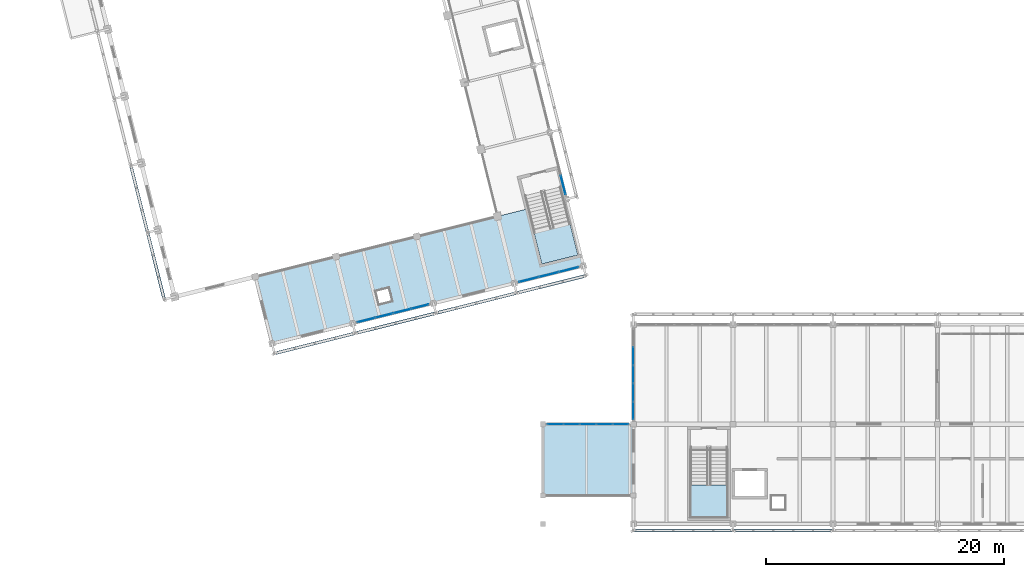
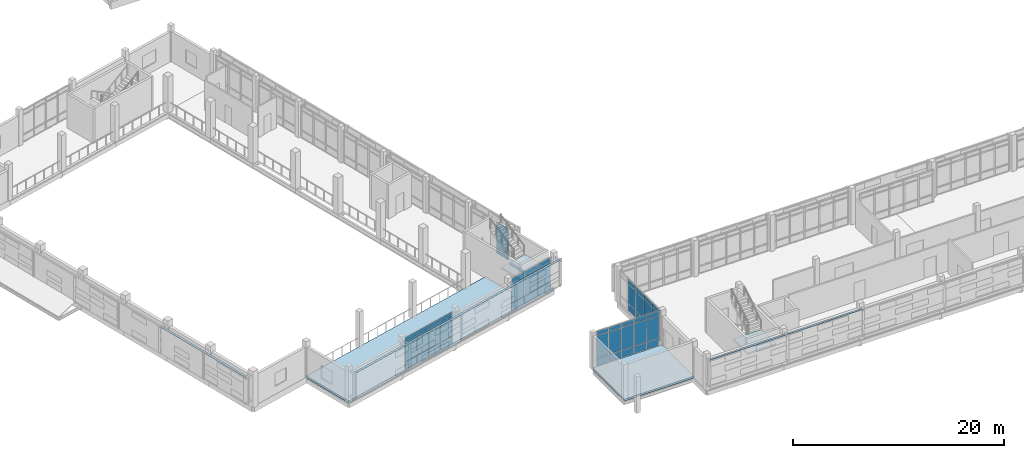
# One storey, part 93 of 137: 59 plates, 4 slabs, 7 elements without a shape of their own.
"""IFC4 building model written with IfcOpenShell, lengths in metres."""

import ifcopenshell
import ifcopenshell.guid

model = None  # the IFC model being written
_history = None  # IfcOwnerHistory: only IFC2X3 demands one
_inside = {}  # id of a spatial element -> (the spatial element, [elements in it])
_under = {}  # id of a project, library or spatial element -> (it, [spatial elements below it])
_declared = {}  # id of a project -> (the project, [libraries it declares])
_typed = {}  # id of a type object -> (the type object, [elements of that type])
_made_of = {}  # id of a material, layer set ... -> (it, [elements and type objects made of it])


def new_model(schema):
    """Start an empty IFC model of exactly this schema.

    Asked for "IFC4X3", IfcOpenShell would pick the latest addendum, in which some entities
    have other attributes; the version numbers below select the first issue.
    IFC2X3 requires an IfcOwnerHistory on every rooted entity: one is made here for all.
    """
    global model, _history
    if schema == "IFC4X3":
        model = ifcopenshell.file(schema_version=(4, 3, 0, 0))
    else:
        model = ifcopenshell.file(schema=schema)
    _inside.clear()
    _under.clear()
    _declared.clear()
    _typed.clear()
    _made_of.clear()
    _history = None
    if model.schema == "IFC2X3":
        org = make("IfcOrganization", Name="unknown")
        user = make(
            "IfcPersonAndOrganization",
            ThePerson=make("IfcPerson", FamilyName="unknown"),
            TheOrganization=org,
        )
        app = make(
            "IfcApplication",
            ApplicationDeveloper=org,
            Version="unknown",
            ApplicationFullName="unknown",
            ApplicationIdentifier="unknown",
        )
        _history = make(
            "IfcOwnerHistory",
            OwningUser=user,
            OwningApplication=app,
            ChangeAction="ADDED",
            CreationDate=0,
        )
    return model


def make(cls, **values):
    """One entity of the class cls with the attributes given. An attribute that is None is left unset."""
    return model.create_entity(
        cls, **{name: value for name, value in values.items() if value is not None}
    )


def rooted(cls, **values):
    """An entity with a GlobalId (a new one), such as an element, a storey or a relation."""
    return make(cls, GlobalId=ifcopenshell.guid.new(), OwnerHistory=_history, **values)


def si_unit(unit_type, name, prefix=None):
    """IfcSIUnit, for example si_unit("LENGTHUNIT", "METRE", prefix="MILLI")."""
    return make("IfcSIUnit", UnitType=unit_type, Prefix=prefix, Name=name)


def assignment(units):
    """IfcUnitAssignment: the units of a project."""
    return None if units is None else make("IfcUnitAssignment", Units=units)


def point(xyz):
    """IfcCartesianPoint."""
    return None if xyz is None else make("IfcCartesianPoint", Coordinates=xyz)


def direction(xyz):
    """IfcDirection."""
    return None if xyz is None else make("IfcDirection", DirectionRatios=xyz)


def frame(location, z_axis=None, x_axis=None):
    """IfcAxis2Placement3D, a coordinate frame: its origin and axes. An axis left out is left unset."""
    return make(
        "IfcAxis2Placement3D",
        Location=point(location),
        Axis=direction(z_axis),
        RefDirection=direction(x_axis),
    )


def frame_2d(location, x_axis=None):
    """IfcAxis2Placement2D, a coordinate frame in the plane: its origin and x axis."""
    return make(
        "IfcAxis2Placement2D", Location=point(location), RefDirection=direction(x_axis)
    )


def origin():
    """The frame at (0, 0, 0) with its axes left unset."""
    return frame((0.0, 0.0, 0.0))


def origin_2d():
    """The frame at (0, 0) in the plane with its x axis left unset."""
    return frame_2d((0.0, 0.0))


def place(relative_to, where):
    """IfcLocalPlacement: puts the frame where relative to a parent placement (None: the world)."""
    return make(
        "IfcLocalPlacement", PlacementRelTo=relative_to, RelativePlacement=where
    )


def context(
    kind, dimensions, precision=None, world=None, true_north=None, identifier=None
):
    """IfcGeometricRepresentationContext, for example the 3D "Model" context."""
    return make(
        "IfcGeometricRepresentationContext",
        ContextIdentifier=identifier,
        ContextType=kind,
        CoordinateSpaceDimension=dimensions,
        Precision=precision,
        WorldCoordinateSystem=world,
        TrueNorth=true_north,
    )


def subcontext(parent, identifier, kind, view, scale=None):
    """IfcGeometricRepresentationSubContext, for example "Body" below "Model"."""
    return make(
        "IfcGeometricRepresentationSubContext",
        ContextIdentifier=identifier,
        ContextType=kind,
        ParentContext=parent,
        TargetScale=scale,
        TargetView=view,
    )


def project(units=None, contexts=None):
    """IfcProject with its units and contexts."""
    return rooted(
        "IfcProject",
        Name="project",
        RepresentationContexts=contexts,
        UnitsInContext=assignment(units),
    )


def spatial(cls, under=None, at=None, **own):
    """A site, building, storey or space (cls), placed at a placement, below another one or the project."""
    s = rooted(cls, ObjectPlacement=at, **own)
    if under is not None:
        _under.setdefault(under.id(), (under, []))[1].append(s)
    return s


def polyline(points):
    """IfcPolyline through the points."""
    return make("IfcPolyline", Points=[point(p) for p in points])


def profile(cls, at=None, kind="AREA", **sizes):
    """A parametric profile (cls). Its sizes go by their IFC names, for example OverallWidth=200.0."""
    return make(cls, ProfileType=kind, Position=at, **sizes)


def rectangle(**sizes):
    """IfcRectangleProfileDef."""
    return profile("IfcRectangleProfileDef", **sizes)


def outline(outer, holes=None, kind="AREA"):
    """IfcArbitraryClosedProfileDef: a profile drawn as a closed curve; with holes, ...WithVoids."""
    if holes is None:
        return make("IfcArbitraryClosedProfileDef", ProfileType=kind, OuterCurve=outer)
    return make(
        "IfcArbitraryProfileDefWithVoids",
        ProfileType=kind,
        OuterCurve=outer,
        InnerCurves=holes,
    )


def extrude(swept, where, along, depth):
    """IfcExtrudedAreaSolid: the profile swept, set in the frame where, extruded along a direction by depth."""
    return make(
        "IfcExtrudedAreaSolid",
        SweptArea=swept,
        Position=where,
        ExtrudedDirection=direction(along),
        Depth=depth,
    )


def shape(context_of_items, identifier, shape_type, items):
    """IfcShapeRepresentation: the items that make up one representation, for example the "Body"."""
    return make(
        "IfcShapeRepresentation",
        ContextOfItems=context_of_items,
        RepresentationIdentifier=identifier,
        RepresentationType=shape_type,
        Items=items,
    )


def material(Name=None, Category=None):
    """IfcMaterial."""
    return make("IfcMaterial", Name=Name, Category=Category)


def layer(
    of_material, thickness, ventilated=None, Name=None, Category=None, Priority=None
):
    """IfcMaterialLayer: one layer of a wall or slab, of a material (None: an air gap)."""
    return make(
        "IfcMaterialLayer",
        Material=of_material,
        LayerThickness=thickness,
        IsVentilated=ventilated,
        Name=Name,
        Category=Category,
        Priority=Priority,
    )


def layer_set(layers, Name=None):
    """IfcMaterialLayerSet."""
    return make("IfcMaterialLayerSet", MaterialLayers=layers, LayerSetName=Name)


def made_of(thing, what):
    """Note that an element or type object is made of a material, layer set ...; save() writes the relation."""
    if what is not None:
        _made_of.setdefault(what.id(), (what, []))[1].append(thing)
    return thing


def type_object(cls, material=None, **own):
    """A type object (cls), such as IfcWallType, which elements share."""
    return made_of(rooted(cls, **own), material)


def element(
    cls,
    number,
    at=None,
    inside=None,
    cuts=None,
    type_object=None,
    material=None,
    context=None,
    identifier="Body",
    shape_type=None,
    held_by="IfcProductDefinitionShape",
    body=None,
    shapes=None,
    **own,
):
    """One element of the class cls, such as IfcWall. Its Tag is "e" and its number.

    at: its placement. inside: the storey or other place that contains it. cuts: it is an
    opening in that element (IfcRelVoidsElement). A single representation is given by context,
    identifier, shape_type and body (its items); several are given by shapes. held_by: the class
    of the entity that holds the representations. save() writes the other relations.
    """
    e = rooted(cls, Tag="e%d" % number, ObjectPlacement=at, **own)
    if body is not None:
        shapes = [shape(context, identifier, shape_type, body)]
    if shapes is not None:
        e.Representation = make(held_by, Representations=shapes)
    if inside is not None:
        _inside.setdefault(inside.id(), (inside, []))[1].append(e)
    if cuts is not None:
        rooted(
            "IfcRelVoidsElement", RelatingBuildingElement=cuts, RelatedOpeningElement=e
        )
    if type_object is not None:
        _typed.setdefault(type_object.id(), (type_object, []))[1].append(e)
    return made_of(e, material)


def aggregate(whole, parts):
    """IfcRelAggregates: a whole, such as a stair, and the parts it consists of."""
    return rooted("IfcRelAggregates", RelatingObject=whole, RelatedObjects=parts)


def save(model, path):
    """Write the relations noted so far, then the file.

    IfcRelAggregates (storeys below a building ...), IfcRelContainedInSpatialStructure (elements
    in a storey), IfcRelDefinesByType, IfcRelAssociatesMaterial and IfcRelDeclares: one each for
    every whole, place, type object, material and project.
    """
    for whole, parts in _under.values():
        aggregate(whole, parts)
    for where, things in _inside.values():
        rooted(
            "IfcRelContainedInSpatialStructure",
            RelatedElements=things,
            RelatingStructure=where,
        )
    for kind, things in _typed.values():
        rooted("IfcRelDefinesByType", RelatedObjects=things, RelatingType=kind)
    for what, things in _made_of.values():
        rooted("IfcRelAssociatesMaterial", RelatedObjects=things, RelatingMaterial=what)
    for by, libraries in _declared.values():
        rooted("IfcRelDeclares", RelatingContext=by, RelatedDefinitions=libraries)
    model.write(path)


model = new_model("IFC4")

# Units and contexts
model_context = context("Model", 3, precision=1e-05, world=origin(), true_north=direction((0.0, 1.0)))
body_context = subcontext(model_context, "Body", "Model", "MODEL_VIEW")
ifc_project = project(units=[si_unit("LENGTHUNIT", "METRE"), si_unit("AREAUNIT", "SQUARE_METRE"), si_unit("VOLUMEUNIT", "CUBIC_METRE"), si_unit("PLANEANGLEUNIT", "RADIAN"), si_unit("MASSUNIT", "GRAM", prefix="KILO")], contexts=[model_context])

# Site, building, storey
site_placement = place(None, origin())
site = spatial("IfcSite", under=ifc_project, at=site_placement, CompositionType="ELEMENT")
building_placement = place(site_placement, origin())
building = spatial("IfcBuilding", under=site, at=building_placement, Name="Cinderway Yard Community Centre", CompositionType="ELEMENT")
storey_placement = place(building_placement, frame((0.0, 0.0, 4.800048828125)))
storey = spatial("IfcBuildingStorey", under=building, at=storey_placement, Name="L01", CompositionType="ELEMENT", Elevation=4.800048828125)

# Curtain wall, plates
ifc_material_1 = material(Name="Aluminium 6063-T6", Category="aluminium")
curtain_wall_type_1 = type_object("IfcCurtainWallType", Name="ENV-CW-TYPE-28", PredefinedType="USERDEFINED", material=ifc_material_1)
curtain_wall_1_placement = place(storey_placement, origin())
curtain_wall_1 = element("IfcCurtainWall", 1, at=curtain_wall_1_placement, inside=storey, type_object=curtain_wall_type_1, Name="V3 West Curtain Wall ENV-CW-L01-ST-0100", ObjectType="GLAZED CURTAIN WALL", PredefinedType="USERDEFINED")
ifc_material_2 = material(Name="Laminated Low-E Glass", Category="glass")
ifc_layer_1 = layer(ifc_material_2, 0.028076171875, Name="Laminated Low-E Glass")
ifc_layer_set_1 = layer_set([ifc_layer_1], Name="Laminated Low-E Glass")
plate_type_1 = type_object("IfcPlateType", Name="ENV-CW-PAN-IGU28", PredefinedType="CURTAIN_PANEL", material=ifc_layer_set_1)
plate_1_placement = place(storey_placement, frame((58.39990234375, 15.54296875, 0.059814453125), z_axis=(0.0, 0.0, 1.0), x_axis=(0.0, 1.0, 0.0)))
plate_1 = element("IfcPlate", 2, at=plate_1_placement, type_object=plate_type_1, Name="CW-28 panel 1.1", PredefinedType="CURTAIN_PANEL", context=body_context, shape_type="SweptSolid", body=[
    extrude(rectangle(XDim=1.446044921875, YDim=0.028076171875, at=origin_2d()), origin(), (0.0, 0.0, 1.0), 0.81005859375),
])
plate_2_placement = place(storey_placement, frame((58.39990234375, 15.54296875, 0.93017578125), z_axis=(0.0, 0.0, 1.0), x_axis=(0.0, 1.0, 0.0)))
plate_2 = element("IfcPlate", 3, at=plate_2_placement, type_object=plate_type_1, Name="CW-28 panel 1.2", PredefinedType="CURTAIN_PANEL", context=body_context, shape_type="SweptSolid", body=[
    extrude(rectangle(XDim=1.446044921875, YDim=0.028076171875, at=origin_2d()), origin(), (0.0, 0.0, 1.0), 2.239990234375),
])
plate_3_placement = place(storey_placement, frame((58.39990234375, 15.54296875, 3.22998046875), z_axis=(0.0, 0.0, 1.0), x_axis=(0.0, 1.0, 0.0)))
plate_3 = element("IfcPlate", 4, at=plate_3_placement, type_object=plate_type_1, Name="CW-28 panel 1.3", PredefinedType="CURTAIN_PANEL", context=body_context, shape_type="SweptSolid", body=[
    extrude(rectangle(XDim=1.446044921875, YDim=0.028076171875, at=origin_2d()), origin(), (0.0, 0.0, 1.0), 0.4599609375),
])
plate_4_placement = place(storey_placement, frame((58.39990234375, 17.06396484375, 0.059814453125), z_axis=(0.0, 0.0, 1.0), x_axis=(0.0, 1.0, 0.0)))
plate_4 = element("IfcPlate", 5, at=plate_4_placement, type_object=plate_type_1, Name="CW-28 panel 2.1", PredefinedType="CURTAIN_PANEL", context=body_context, shape_type="SweptSolid", body=[
    extrude(rectangle(XDim=1.47607421875, YDim=0.028076171875, at=origin_2d()), origin(), (0.0, 0.0, 1.0), 0.81005859375),
])
plate_5_placement = place(storey_placement, frame((58.39990234375, 17.06396484375, 0.93017578125), z_axis=(0.0, 0.0, 1.0), x_axis=(0.0, 1.0, 0.0)))
plate_5 = element("IfcPlate", 6, at=plate_5_placement, type_object=plate_type_1, Name="CW-28 panel 2.2", PredefinedType="CURTAIN_PANEL", context=body_context, shape_type="SweptSolid", body=[
    extrude(rectangle(XDim=1.47607421875, YDim=0.028076171875, at=origin_2d()), origin(), (0.0, 0.0, 1.0), 2.239990234375),
])
plate_6_placement = place(storey_placement, frame((58.39990234375, 17.06396484375, 3.22998046875), z_axis=(0.0, 0.0, 1.0), x_axis=(0.0, 1.0, 0.0)))
plate_6 = element("IfcPlate", 7, at=plate_6_placement, type_object=plate_type_1, Name="CW-28 panel 2.3", PredefinedType="CURTAIN_PANEL", context=body_context, shape_type="SweptSolid", body=[
    extrude(rectangle(XDim=1.47607421875, YDim=0.028076171875, at=origin_2d()), origin(), (0.0, 0.0, 1.0), 0.4599609375),
])
plate_7_placement = place(storey_placement, frame((58.39990234375, 18.60009765625, 0.059814453125), z_axis=(0.0, 0.0, 1.0), x_axis=(0.0, 1.0, 0.0)))
plate_7 = element("IfcPlate", 8, at=plate_7_placement, type_object=plate_type_1, Name="CW-28 panel 3.1", PredefinedType="CURTAIN_PANEL", context=body_context, shape_type="SweptSolid", body=[
    extrude(rectangle(XDim=1.47607421875, YDim=0.028076171875, at=origin_2d()), origin(), (0.0, 0.0, 1.0), 0.81005859375),
])
plate_8_placement = place(storey_placement, frame((58.39990234375, 18.60009765625, 0.93017578125), z_axis=(0.0, 0.0, 1.0), x_axis=(0.0, 1.0, 0.0)))
plate_8 = element("IfcPlate", 9, at=plate_8_placement, type_object=plate_type_1, Name="CW-28 panel 3.2", PredefinedType="CURTAIN_PANEL", context=body_context, shape_type="SweptSolid", body=[
    extrude(rectangle(XDim=1.47607421875, YDim=0.028076171875, at=origin_2d()), origin(), (0.0, 0.0, 1.0), 2.239990234375),
])
plate_9_placement = place(storey_placement, frame((58.39990234375, 18.60009765625, 3.22998046875), z_axis=(0.0, 0.0, 1.0), x_axis=(0.0, 1.0, 0.0)))
plate_9 = element("IfcPlate", 10, at=plate_9_placement, type_object=plate_type_1, Name="CW-28 panel 3.3", PredefinedType="CURTAIN_PANEL", context=body_context, shape_type="SweptSolid", body=[
    extrude(rectangle(XDim=1.47607421875, YDim=0.028076171875, at=origin_2d()), origin(), (0.0, 0.0, 1.0), 0.4599609375),
])
plate_10_placement = place(storey_placement, frame((58.39990234375, 20.135986328125, 0.059814453125), z_axis=(0.0, 0.0, 1.0), x_axis=(0.0, 1.0, 0.0)))
plate_10 = element("IfcPlate", 11, at=plate_10_placement, type_object=plate_type_1, Name="CW-28 panel 4.1", PredefinedType="CURTAIN_PANEL", context=body_context, shape_type="SweptSolid", body=[
    extrude(rectangle(XDim=1.47607421875, YDim=0.028076171875, at=origin_2d()), origin(), (0.0, 0.0, 1.0), 0.81005859375),
])
plate_11_placement = place(storey_placement, frame((58.39990234375, 20.135986328125, 0.93017578125), z_axis=(0.0, 0.0, 1.0), x_axis=(0.0, 1.0, 0.0)))
plate_11 = element("IfcPlate", 12, at=plate_11_placement, type_object=plate_type_1, Name="CW-28 panel 4.2", PredefinedType="CURTAIN_PANEL", context=body_context, shape_type="SweptSolid", body=[
    extrude(rectangle(XDim=1.47607421875, YDim=0.028076171875, at=origin_2d()), origin(), (0.0, 0.0, 1.0), 2.239990234375),
])
plate_12_placement = place(storey_placement, frame((58.39990234375, 20.135986328125, 3.22998046875), z_axis=(0.0, 0.0, 1.0), x_axis=(0.0, 1.0, 0.0)))
plate_12 = element("IfcPlate", 13, at=plate_12_placement, type_object=plate_type_1, Name="CW-28 panel 4.3", PredefinedType="CURTAIN_PANEL", context=body_context, shape_type="SweptSolid", body=[
    extrude(rectangle(XDim=1.47607421875, YDim=0.028076171875, at=origin_2d()), origin(), (0.0, 0.0, 1.0), 0.4599609375),
])
aggregate(curtain_wall_1, [plate_1, plate_2, plate_3, plate_4, plate_5, plate_6, plate_7, plate_8, plate_9, plate_10, plate_11, plate_12])

curtain_wall_type_2 = type_object("IfcCurtainWallType", Name="ENV-CW-TYPE-36", PredefinedType="USERDEFINED", material=ifc_material_1)
curtain_wall_2_placement = place(storey_placement, origin())
curtain_wall_2 = element("IfcCurtainWall", 14, at=curtain_wall_2_placement, inside=storey, type_object=curtain_wall_type_2, Name="West Arcade Courtyard Curtain Wall ENV-CW-L01-ST-0200", ObjectType="GLAZED CURTAIN WALL", PredefinedType="USERDEFINED")
plate_13_placement = place(storey_placement, frame((51.85498046875, 14.39990234375, 0.059814453125), z_axis=(0.0, 0.0, 1.0), x_axis=(1.0, 0.0, 0.0)))
plate_13 = element("IfcPlate", 15, at=plate_13_placement, type_object=plate_type_1, Name="CW-36 panel 1.1", PredefinedType="CURTAIN_PANEL", context=body_context, shape_type="SweptSolid", body=[
    extrude(rectangle(XDim=1.2900390625, YDim=0.028076171875, at=origin_2d()), origin(), (0.0, 0.0, 1.0), 0.81005859375),
])
plate_14_placement = place(storey_placement, frame((51.85498046875, 14.39990234375, 0.9296875), z_axis=(0.0, 0.0, 1.0), x_axis=(1.0, 0.0, 0.0)))
plate_14 = element("IfcPlate", 16, at=plate_14_placement, type_object=plate_type_1, Name="CW-36 panel 1.2", PredefinedType="CURTAIN_PANEL", context=body_context, shape_type="SweptSolid", body=[
    extrude(rectangle(XDim=1.2900390625, YDim=0.028076171875, at=origin_2d()), origin(), (0.0, 0.0, 1.0), 2.590087890625),
])
plate_15_placement = place(storey_placement, frame((51.85498046875, 14.39990234375, 3.580078125), z_axis=(0.0, 0.0, 1.0), x_axis=(1.0, 0.0, 0.0)))
plate_15 = element("IfcPlate", 17, at=plate_15_placement, type_object=plate_type_1, Name="CW-36 panel 1.3", PredefinedType="CURTAIN_PANEL", context=body_context, shape_type="SweptSolid", body=[
    extrude(rectangle(XDim=1.2900390625, YDim=0.028076171875, at=origin_2d()), origin(), (0.0, 0.0, 1.0), 0.4599609375),
])
plate_16_placement = place(storey_placement, frame((53.219970703125, 14.39990234375, 0.059814453125), z_axis=(0.0, 0.0, 1.0), x_axis=(1.0, 0.0, 0.0)))
plate_16 = element("IfcPlate", 18, at=plate_16_placement, type_object=plate_type_1, Name="CW-36 panel 2.1", PredefinedType="CURTAIN_PANEL", context=body_context, shape_type="SweptSolid", body=[
    extrude(rectangle(XDim=1.320068359375, YDim=0.028076171875, at=origin_2d()), origin(), (0.0, 0.0, 1.0), 0.81005859375),
])
plate_17_placement = place(storey_placement, frame((53.219970703125, 14.39990234375, 0.9296875), z_axis=(0.0, 0.0, 1.0), x_axis=(1.0, 0.0, 0.0)))
plate_17 = element("IfcPlate", 19, at=plate_17_placement, type_object=plate_type_1, Name="CW-36 panel 2.2", PredefinedType="CURTAIN_PANEL", context=body_context, shape_type="SweptSolid", body=[
    extrude(rectangle(XDim=1.320068359375, YDim=0.028076171875, at=origin_2d()), origin(), (0.0, 0.0, 1.0), 2.590087890625),
])
plate_18_placement = place(storey_placement, frame((53.219970703125, 14.39990234375, 3.580078125), z_axis=(0.0, 0.0, 1.0), x_axis=(1.0, 0.0, 0.0)))
plate_18 = element("IfcPlate", 20, at=plate_18_placement, type_object=plate_type_1, Name="CW-36 panel 2.3", PredefinedType="CURTAIN_PANEL", context=body_context, shape_type="SweptSolid", body=[
    extrude(rectangle(XDim=1.320068359375, YDim=0.028076171875, at=origin_2d()), origin(), (0.0, 0.0, 1.0), 0.4599609375),
])
plate_19_placement = place(storey_placement, frame((54.60009765625, 14.39990234375, 0.059814453125), z_axis=(0.0, 0.0, 1.0), x_axis=(1.0, 0.0, 0.0)))
plate_19 = element("IfcPlate", 21, at=plate_19_placement, type_object=plate_type_1, Name="CW-36 panel 3.1", PredefinedType="CURTAIN_PANEL", context=body_context, shape_type="SweptSolid", body=[
    extrude(rectangle(XDim=1.320068359375, YDim=0.028076171875, at=origin_2d()), origin(), (0.0, 0.0, 1.0), 0.81005859375),
])
plate_20_placement = place(storey_placement, frame((54.60009765625, 14.39990234375, 0.9296875), z_axis=(0.0, 0.0, 1.0), x_axis=(1.0, 0.0, 0.0)))
plate_20 = element("IfcPlate", 22, at=plate_20_placement, type_object=plate_type_1, Name="CW-36 panel 3.2", PredefinedType="CURTAIN_PANEL", context=body_context, shape_type="SweptSolid", body=[
    extrude(rectangle(XDim=1.320068359375, YDim=0.028076171875, at=origin_2d()), origin(), (0.0, 0.0, 1.0), 2.590087890625),
])
plate_21_placement = place(storey_placement, frame((54.60009765625, 14.39990234375, 3.580078125), z_axis=(0.0, 0.0, 1.0), x_axis=(1.0, 0.0, 0.0)))
plate_21 = element("IfcPlate", 23, at=plate_21_placement, type_object=plate_type_1, Name="CW-36 panel 3.3", PredefinedType="CURTAIN_PANEL", context=body_context, shape_type="SweptSolid", body=[
    extrude(rectangle(XDim=1.320068359375, YDim=0.028076171875, at=origin_2d()), origin(), (0.0, 0.0, 1.0), 0.4599609375),
])
plate_22_placement = place(storey_placement, frame((55.97998046875, 14.39990234375, 0.059814453125), z_axis=(0.0, 0.0, 1.0), x_axis=(1.0, 0.0, 0.0)))
plate_22 = element("IfcPlate", 24, at=plate_22_placement, type_object=plate_type_1, Name="CW-36 panel 4.1", PredefinedType="CURTAIN_PANEL", context=body_context, shape_type="SweptSolid", body=[
    extrude(rectangle(XDim=1.320068359375, YDim=0.028076171875, at=origin_2d()), origin(), (0.0, 0.0, 1.0), 0.81005859375),
])
plate_23_placement = place(storey_placement, frame((55.97998046875, 14.39990234375, 0.9296875), z_axis=(0.0, 0.0, 1.0), x_axis=(1.0, 0.0, 0.0)))
plate_23 = element("IfcPlate", 25, at=plate_23_placement, type_object=plate_type_1, Name="CW-36 panel 4.2", PredefinedType="CURTAIN_PANEL", context=body_context, shape_type="SweptSolid", body=[
    extrude(rectangle(XDim=1.320068359375, YDim=0.028076171875, at=origin_2d()), origin(), (0.0, 0.0, 1.0), 2.590087890625),
])
plate_24_placement = place(storey_placement, frame((55.97998046875, 14.39990234375, 3.580078125), z_axis=(0.0, 0.0, 1.0), x_axis=(1.0, 0.0, 0.0)))
plate_24 = element("IfcPlate", 26, at=plate_24_placement, type_object=plate_type_1, Name="CW-36 panel 4.3", PredefinedType="CURTAIN_PANEL", context=body_context, shape_type="SweptSolid", body=[
    extrude(rectangle(XDim=1.320068359375, YDim=0.028076171875, at=origin_2d()), origin(), (0.0, 0.0, 1.0), 0.4599609375),
])
plate_25_placement = place(storey_placement, frame((57.344970703125, 14.39990234375, 0.059814453125), z_axis=(0.0, 0.0, 1.0), x_axis=(1.0, 0.0, 0.0)))
plate_25 = element("IfcPlate", 27, at=plate_25_placement, type_object=plate_type_1, Name="CW-36 panel 5.1", PredefinedType="CURTAIN_PANEL", context=body_context, shape_type="SweptSolid", body=[
    extrude(rectangle(XDim=1.2900390625, YDim=0.028076171875, at=origin_2d()), origin(), (0.0, 0.0, 1.0), 0.81005859375),
])
plate_26_placement = place(storey_placement, frame((57.344970703125, 14.39990234375, 0.9296875), z_axis=(0.0, 0.0, 1.0), x_axis=(1.0, 0.0, 0.0)))
plate_26 = element("IfcPlate", 28, at=plate_26_placement, type_object=plate_type_1, Name="CW-36 panel 5.2", PredefinedType="CURTAIN_PANEL", context=body_context, shape_type="SweptSolid", body=[
    extrude(rectangle(XDim=1.2900390625, YDim=0.028076171875, at=origin_2d()), origin(), (0.0, 0.0, 1.0), 2.590087890625),
])
plate_27_placement = place(storey_placement, frame((57.344970703125, 14.39990234375, 3.580078125), z_axis=(0.0, 0.0, 1.0), x_axis=(1.0, 0.0, 0.0)))
plate_27 = element("IfcPlate", 29, at=plate_27_placement, type_object=plate_type_1, Name="CW-36 panel 5.3", PredefinedType="CURTAIN_PANEL", context=body_context, shape_type="SweptSolid", body=[
    extrude(rectangle(XDim=1.2900390625, YDim=0.028076171875, at=origin_2d()), origin(), (0.0, 0.0, 1.0), 0.4599609375),
])
aggregate(curtain_wall_2, [plate_13, plate_14, plate_15, plate_16, plate_17, plate_18, plate_19, plate_20, plate_21, plate_22, plate_23, plate_24, plate_25, plate_26, plate_27])

curtain_wall_type_3 = type_object("IfcCurtainWallType", Name="ENV-CW-TYPE-04", PredefinedType="USERDEFINED", material=ifc_material_1)
curtain_wall_3_placement = place(storey_placement, origin())
curtain_wall_3 = element("IfcCurtainWall", 30, at=curtain_wall_3_placement, inside=storey, type_object=curtain_wall_type_3, Name="Main Hall Courtyard Curtain Wall ENV-CW-L01-HS-0010", ObjectType="GLAZED CURTAIN WALL", PredefinedType="USERDEFINED")
ifc_layer_2 = layer(ifc_material_2, 0.031982421875, Name="Laminated Low-E Glass")
ifc_layer_set_2 = layer_set([ifc_layer_2], Name="Laminated Low-E Glass")
plate_type_2 = type_object("IfcPlateType", Name="ENV-CW-PAN-IGU32", PredefinedType="CURTAIN_PANEL", material=ifc_layer_set_2)
plate_28_placement = place(storey_placement, frame((52.50341796875, 34.527099609375, 0.059814453125), z_axis=(0.0, 0.0, 1.0), x_axis=(-0.241887234827, 0.97030436752, 0.0)))
plate_28 = element("IfcPlate", 31, at=plate_28_placement, type_object=plate_type_2, Name="CW-04 panel 1.1", PredefinedType="CURTAIN_PANEL", context=body_context, shape_type="SweptSolid", body=[
    extrude(rectangle(XDim=1.603515625, YDim=0.028076171875, at=origin_2d()), origin(), (0.0, 0.0, 1.0), 0.81005859375),
])
plate_29_placement = place(storey_placement, frame((52.50341796875, 34.527099609375, 0.93017578125), z_axis=(0.0, 0.0, 1.0), x_axis=(-0.241887234827, 0.97030436752, 0.0)))
plate_29 = element("IfcPlate", 32, at=plate_29_placement, type_object=plate_type_2, Name="CW-04 panel 1.2", PredefinedType="CURTAIN_PANEL", context=body_context, shape_type="SweptSolid", body=[
    extrude(rectangle(XDim=1.603515625, YDim=0.028076171875, at=origin_2d()), origin(), (0.0, 0.0, 1.0), 2.239990234375),
])
plate_30_placement = place(storey_placement, frame((52.50341796875, 34.527099609375, 3.22998046875), z_axis=(0.0, 0.0, 1.0), x_axis=(-0.241887234827, 0.97030436752, 0.0)))
plate_30 = element("IfcPlate", 33, at=plate_30_placement, type_object=plate_type_2, Name="CW-04 panel 1.3", PredefinedType="CURTAIN_PANEL", context=body_context, shape_type="SweptSolid", body=[
    extrude(rectangle(XDim=1.603515625, YDim=0.028076171875, at=origin_2d()), origin(), (0.0, 0.0, 1.0), 0.4599609375),
])
aggregate(curtain_wall_3, [plate_28, plate_29, plate_30])

curtain_wall_type_4 = type_object("IfcCurtainWallType", Name="ENV-CW-TYPE-05", PredefinedType="USERDEFINED", material=ifc_material_1)
curtain_wall_4_placement = place(storey_placement, origin())
curtain_wall_4 = element("IfcCurtainWall", 34, at=curtain_wall_4_placement, inside=storey, type_object=curtain_wall_type_4, Name="Sanctuary South Curtain Wall ENV-CW-L01-HS-0017", ObjectType="GLAZED CURTAIN WALL", PredefinedType="USERDEFINED")
plate_31_placement = place(storey_placement, frame((35.937255859375, 23.16015625, 0.059814453125), z_axis=(0.0, 0.0, 1.0), x_axis=(0.970311966845, 0.241856748919, 0.0)))
plate_31 = element("IfcPlate", 35, at=plate_31_placement, type_object=plate_type_2, Name="CW-05 panel 1.1", PredefinedType="CURTAIN_PANEL", context=body_context, shape_type="SweptSolid", body=[
    extrude(rectangle(XDim=1.4697265625, YDim=0.028076171875, at=origin_2d()), origin(), (0.0, 0.0, 1.0), 0.81005859375),
])
plate_32_placement = place(storey_placement, frame((35.937255859375, 23.16015625, 0.93017578125), z_axis=(0.0, 0.0, 1.0), x_axis=(0.970311966845, 0.241856748919, 0.0)))
plate_32 = element("IfcPlate", 36, at=plate_32_placement, type_object=plate_type_2, Name="CW-05 panel 1.2", PredefinedType="CURTAIN_PANEL", context=body_context, shape_type="SweptSolid", body=[
    extrude(rectangle(XDim=1.4697265625, YDim=0.028076171875, at=origin_2d()), origin(), (0.0, 0.0, 1.0), 2.239990234375),
])
plate_33_placement = place(storey_placement, frame((35.937255859375, 23.16015625, 3.22998046875), z_axis=(0.0, 0.0, 1.0), x_axis=(0.970311966845, 0.241856748919, 0.0)))
plate_33 = element("IfcPlate", 37, at=plate_33_placement, type_object=plate_type_2, Name="CW-05 panel 1.3", PredefinedType="CURTAIN_PANEL", context=body_context, shape_type="SweptSolid", body=[
    extrude(rectangle(XDim=1.4697265625, YDim=0.028076171875, at=origin_2d()), origin(), (0.0, 0.0, 1.0), 0.4599609375),
])
plate_34_placement = place(storey_placement, frame((37.436279296875, 23.533935546875, 0.059814453125), z_axis=(0.0, 0.0, 1.0), x_axis=(0.970311966845, 0.241856748919, 0.0)))
plate_34 = element("IfcPlate", 38, at=plate_34_placement, type_object=plate_type_2, Name="CW-05 panel 2.1", PredefinedType="CURTAIN_PANEL", context=body_context, shape_type="SweptSolid", body=[
    extrude(rectangle(XDim=1.499755859375, YDim=0.028076171875, at=origin_2d()), origin(), (0.0, 0.0, 1.0), 0.81005859375),
])
plate_35_placement = place(storey_placement, frame((37.436279296875, 23.533935546875, 0.93017578125), z_axis=(0.0, 0.0, 1.0), x_axis=(0.970311966845, 0.241856748919, 0.0)))
plate_35 = element("IfcPlate", 39, at=plate_35_placement, type_object=plate_type_2, Name="CW-05 panel 2.2", PredefinedType="CURTAIN_PANEL", context=body_context, shape_type="SweptSolid", body=[
    extrude(rectangle(XDim=1.499755859375, YDim=0.028076171875, at=origin_2d()), origin(), (0.0, 0.0, 1.0), 2.239990234375),
])
plate_36_placement = place(storey_placement, frame((37.436279296875, 23.533935546875, 3.22998046875), z_axis=(0.0, 0.0, 1.0), x_axis=(0.970311966845, 0.241856748919, 0.0)))
plate_36 = element("IfcPlate", 40, at=plate_36_placement, type_object=plate_type_2, Name="CW-05 panel 2.3", PredefinedType="CURTAIN_PANEL", context=body_context, shape_type="SweptSolid", body=[
    extrude(rectangle(XDim=1.499755859375, YDim=0.028076171875, at=origin_2d()), origin(), (0.0, 0.0, 1.0), 0.4599609375),
])
plate_37_placement = place(storey_placement, frame((38.94970703125, 23.9111328125, 0.059814453125), z_axis=(0.0, 0.0, 1.0), x_axis=(0.970311966845, 0.241856748919, 0.0)))
plate_37 = element("IfcPlate", 41, at=plate_37_placement, type_object=plate_type_2, Name="CW-05 panel 3.1", PredefinedType="CURTAIN_PANEL", context=body_context, shape_type="SweptSolid", body=[
    extrude(rectangle(XDim=1.499755859375, YDim=0.028076171875, at=origin_2d()), origin(), (0.0, 0.0, 1.0), 0.81005859375),
])
plate_38_placement = place(storey_placement, frame((38.94970703125, 23.9111328125, 0.93017578125), z_axis=(0.0, 0.0, 1.0), x_axis=(0.970311966845, 0.241856748919, 0.0)))
plate_38 = element("IfcPlate", 42, at=plate_38_placement, type_object=plate_type_2, Name="CW-05 panel 3.2", PredefinedType="CURTAIN_PANEL", context=body_context, shape_type="SweptSolid", body=[
    extrude(rectangle(XDim=1.499755859375, YDim=0.028076171875, at=origin_2d()), origin(), (0.0, 0.0, 1.0), 2.239990234375),
])
plate_39_placement = place(storey_placement, frame((38.94970703125, 23.9111328125, 3.22998046875), z_axis=(0.0, 0.0, 1.0), x_axis=(0.970311966845, 0.241856748919, 0.0)))
plate_39 = element("IfcPlate", 43, at=plate_39_placement, type_object=plate_type_2, Name="CW-05 panel 3.3", PredefinedType="CURTAIN_PANEL", context=body_context, shape_type="SweptSolid", body=[
    extrude(rectangle(XDim=1.499755859375, YDim=0.028076171875, at=origin_2d()), origin(), (0.0, 0.0, 1.0), 0.4599609375),
])
plate_40_placement = place(storey_placement, frame((40.44873046875, 24.28466796875, 0.059814453125), z_axis=(0.0, 0.0, 1.0), x_axis=(0.970311966845, 0.241856748919, 0.0)))
plate_40 = element("IfcPlate", 44, at=plate_40_placement, type_object=plate_type_2, Name="CW-05 panel 4.1", PredefinedType="CURTAIN_PANEL", context=body_context, shape_type="SweptSolid", body=[
    extrude(rectangle(XDim=1.4697265625, YDim=0.028076171875, at=origin_2d()), origin(), (0.0, 0.0, 1.0), 0.81005859375),
])
plate_41_placement = place(storey_placement, frame((40.44873046875, 24.28466796875, 0.93017578125), z_axis=(0.0, 0.0, 1.0), x_axis=(0.970311966845, 0.241856748919, 0.0)))
plate_41 = element("IfcPlate", 45, at=plate_41_placement, type_object=plate_type_2, Name="CW-05 panel 4.2", PredefinedType="CURTAIN_PANEL", context=body_context, shape_type="SweptSolid", body=[
    extrude(rectangle(XDim=1.4697265625, YDim=0.028076171875, at=origin_2d()), origin(), (0.0, 0.0, 1.0), 2.239990234375),
])
plate_42_placement = place(storey_placement, frame((40.44873046875, 24.28466796875, 3.22998046875), z_axis=(0.0, 0.0, 1.0), x_axis=(0.970311966845, 0.241856748919, 0.0)))
plate_42 = element("IfcPlate", 46, at=plate_42_placement, type_object=plate_type_2, Name="CW-05 panel 4.3", PredefinedType="CURTAIN_PANEL", context=body_context, shape_type="SweptSolid", body=[
    extrude(rectangle(XDim=1.4697265625, YDim=0.028076171875, at=origin_2d()), origin(), (0.0, 0.0, 1.0), 0.4599609375),
])
aggregate(curtain_wall_4, [plate_31, plate_32, plate_33, plate_34, plate_35, plate_36, plate_37, plate_38, plate_39, plate_40, plate_41, plate_42])

curtain_wall_type_5 = type_object("IfcCurtainWallType", Name="ENV-CW-TYPE-06", PredefinedType="USERDEFINED", material=ifc_material_1)
curtain_wall_5_placement = place(storey_placement, origin())
curtain_wall_5 = element("IfcCurtainWall", 47, at=curtain_wall_5_placement, inside=storey, type_object=curtain_wall_type_5, Name="Sanctuary South Curtain Wall ENV-CW-L01-HS-0018", ObjectType="GLAZED CURTAIN WALL", PredefinedType="USERDEFINED")
plate_43_placement = place(storey_placement, frame((49.61181640625, 26.56982421875, 0.059814453125), z_axis=(0.0, 0.0, 1.0), x_axis=(0.970321865084, 0.241817034428, 0.0)))
plate_43 = element("IfcPlate", 48, at=plate_43_placement, type_object=plate_type_2, Name="CW-06 panel 1.1", PredefinedType="CURTAIN_PANEL", context=body_context, shape_type="SweptSolid", body=[
    extrude(rectangle(XDim=1.656494140625, YDim=0.028076171875, at=origin_2d()), origin(), (0.0, 0.0, 1.0), 0.81005859375),
])
plate_44_placement = place(storey_placement, frame((49.61181640625, 26.56982421875, 0.93017578125), z_axis=(0.0, 0.0, 1.0), x_axis=(0.970321865084, 0.241817034428, 0.0)))
plate_44 = element("IfcPlate", 49, at=plate_44_placement, type_object=plate_type_2, Name="CW-06 panel 1.2", PredefinedType="CURTAIN_PANEL", context=body_context, shape_type="SweptSolid", body=[
    extrude(rectangle(XDim=1.656494140625, YDim=0.028076171875, at=origin_2d()), origin(), (0.0, 0.0, 1.0), 2.239990234375),
])
plate_45_placement = place(storey_placement, frame((49.61181640625, 26.56982421875, 3.22998046875), z_axis=(0.0, 0.0, 1.0), x_axis=(0.970321865084, 0.241817034428, 0.0)))
plate_45 = element("IfcPlate", 50, at=plate_45_placement, type_object=plate_type_2, Name="CW-06 panel 1.3", PredefinedType="CURTAIN_PANEL", context=body_context, shape_type="SweptSolid", body=[
    extrude(rectangle(XDim=1.656494140625, YDim=0.028076171875, at=origin_2d()), origin(), (0.0, 0.0, 1.0), 0.4599609375),
])
plate_46_placement = place(storey_placement, frame((51.2919921875, 26.988525390625, 0.059814453125), z_axis=(0.0, 0.0, 1.0), x_axis=(0.970321865084, 0.241817034428, 0.0)))
plate_46 = element("IfcPlate", 51, at=plate_46_placement, type_object=plate_type_2, Name="CW-06 panel 2.1", PredefinedType="CURTAIN_PANEL", context=body_context, shape_type="SweptSolid", body=[
    extrude(rectangle(XDim=1.6865234375, YDim=0.028076171875, at=origin_2d()), origin(), (0.0, 0.0, 1.0), 0.81005859375),
])
plate_47_placement = place(storey_placement, frame((51.2919921875, 26.988525390625, 0.93017578125), z_axis=(0.0, 0.0, 1.0), x_axis=(0.970321865084, 0.241817034428, 0.0)))
plate_47 = element("IfcPlate", 52, at=plate_47_placement, type_object=plate_type_2, Name="CW-06 panel 2.2", PredefinedType="CURTAIN_PANEL", context=body_context, shape_type="SweptSolid", body=[
    extrude(rectangle(XDim=1.6865234375, YDim=0.028076171875, at=origin_2d()), origin(), (0.0, 0.0, 1.0), 2.239990234375),
])
plate_48_placement = place(storey_placement, frame((51.2919921875, 26.988525390625, 3.22998046875), z_axis=(0.0, 0.0, 1.0), x_axis=(0.970321865084, 0.241817034428, 0.0)))
plate_48 = element("IfcPlate", 53, at=plate_48_placement, type_object=plate_type_2, Name="CW-06 panel 2.3", PredefinedType="CURTAIN_PANEL", context=body_context, shape_type="SweptSolid", body=[
    extrude(rectangle(XDim=1.6865234375, YDim=0.028076171875, at=origin_2d()), origin(), (0.0, 0.0, 1.0), 0.4599609375),
])
plate_49_placement = place(storey_placement, frame((52.97216796875, 27.4072265625, 0.059814453125), z_axis=(0.0, 0.0, 1.0), x_axis=(0.970321865084, 0.241817034428, 0.0)))
plate_49 = element("IfcPlate", 54, at=plate_49_placement, type_object=plate_type_2, Name="CW-06 panel 3.1", PredefinedType="CURTAIN_PANEL", context=body_context, shape_type="SweptSolid", body=[
    extrude(rectangle(XDim=1.656494140625, YDim=0.028076171875, at=origin_2d()), origin(), (0.0, 0.0, 1.0), 0.81005859375),
])
plate_50_placement = place(storey_placement, frame((52.97216796875, 27.4072265625, 0.93017578125), z_axis=(0.0, 0.0, 1.0), x_axis=(0.970321865084, 0.241817034428, 0.0)))
plate_50 = element("IfcPlate", 55, at=plate_50_placement, type_object=plate_type_2, Name="CW-06 panel 3.2", PredefinedType="CURTAIN_PANEL", context=body_context, shape_type="SweptSolid", body=[
    extrude(rectangle(XDim=1.656494140625, YDim=0.028076171875, at=origin_2d()), origin(), (0.0, 0.0, 1.0), 2.239990234375),
])
plate_51_placement = place(storey_placement, frame((52.97216796875, 27.4072265625, 3.22998046875), z_axis=(0.0, 0.0, 1.0), x_axis=(0.970321865084, 0.241817034428, 0.0)))
plate_51 = element("IfcPlate", 56, at=plate_51_placement, type_object=plate_type_2, Name="CW-06 panel 3.3", PredefinedType="CURTAIN_PANEL", context=body_context, shape_type="SweptSolid", body=[
    extrude(rectangle(XDim=1.656494140625, YDim=0.028076171875, at=origin_2d()), origin(), (0.0, 0.0, 1.0), 0.4599609375),
])
aggregate(curtain_wall_5, [plate_43, plate_44, plate_45, plate_46, plate_47, plate_48, plate_49, plate_50, plate_51])

# Plates
ifc_layer_3 = layer(ifc_material_1, 0.01611328125, Name="Aluminium 6063-T6")
ifc_layer_set_3 = layer_set([ifc_layer_3], Name="Aluminium 6063-T6")
plate_type_3 = type_object("IfcPlateType", Name="ENV-PLT-FASCIA16", PredefinedType="USERDEFINED", material=ifc_layer_set_3)
for number, where, z_axis, x_axis, name in (
    (57, (62.60009765625, 5.449951171875, 3.7119140625), (0.0, 0.0, 1.0), (-1.0, 0.0, 0.0), "Screen coping fascia 0068"),
    (58, (71.0, 5.449951171875, 3.7119140625), (0.0, 0.0, 1.0), (-1.0, 0.0, 0.0), "Screen coping fascia 0069"),
):
    element("IfcPlate", number, at=place(storey_placement, frame(where, z_axis=z_axis, x_axis=x_axis)), inside=storey, type_object=plate_type_3, Name=name, ObjectType="FASCIA PLATE", PredefinedType="USERDEFINED", context=body_context, shape_type="SweptSolid", body=[
        extrude(rectangle(XDim=8.300048828125, YDim=0.260009765625, at=origin_2d()), origin(), (0.0, 0.0, 1.0), 0.01611328125),
    ])
plate_52_placement = place(storey_placement, frame((18.235107421875, 27.712890625, 3.7119140625), z_axis=(0.0, 0.0, 1.0), x_axis=(-0.2419218956, 0.970295726276, 0.0)))
element("IfcPlate", 59, at=plate_52_placement, inside=storey, type_object=plate_type_3, Name="Screen coping fascia 0092", ObjectType="FASCIA PLATE", PredefinedType="USERDEFINED", context=body_context, shape_type="SweptSolid", body=[
    extrude(rectangle(XDim=5.699951171875, YDim=0.260009765625, at=origin_2d()), origin(), (0.0, 0.0, 1.0), 0.01611328125),
])
plate_53_placement = place(storey_placement, frame((16.8310546875, 33.341064453125, 3.7119140625), z_axis=(0.0, 0.0, 1.0), x_axis=(-0.2419218956, 0.970295726276, 0.0)))
element("IfcPlate", 60, at=plate_53_placement, inside=storey, type_object=plate_type_3, Name="Screen coping fascia 0093", ObjectType="FASCIA PLATE", PredefinedType="USERDEFINED", context=body_context, shape_type="SweptSolid", body=[
    extrude(rectangle(XDim=5.698974609375, YDim=0.260009765625, at=origin_2d()), origin(), (0.0, 0.0, 1.0), 0.01611328125),
])
for number, where, z_axis, x_axis, name in (
    (61, (31.60693359375, 21.2041015625, 3.7119140625), (0.0, 0.0, 1.0), (-0.970295726276, -0.2419218956, 0.0), "Screen coping fascia 0106"),
    (62, (38.39892578125, 22.89794921875, 3.7119140625), (0.0, 0.0, 1.0), (-0.970295726276, -0.2419218956, 0.0), "Screen coping fascia 0107"),
    (63, (45.19091796875, 24.591064453125, 3.7119140625), (0.0, 0.0, 1.0), (-0.970295726276, -0.2419218956, 0.0), "Screen coping fascia 0108"),
):
    element("IfcPlate", number, at=place(storey_placement, frame(where, z_axis=z_axis, x_axis=x_axis)), inside=storey, type_object=plate_type_3, Name=name, ObjectType="FASCIA PLATE", PredefinedType="USERDEFINED", context=body_context, shape_type="SweptSolid", body=[
        extrude(rectangle(XDim=6.89990234375, YDim=0.260009765625, at=origin_2d()), origin(), (0.0, 0.0, 1.0), 0.01611328125),
    ])
plate_54_placement = place(storey_placement, frame((51.498046875, 26.1630859375, 3.7119140625), z_axis=(0.0, 0.0, 1.0), x_axis=(-0.970295726276, -0.2419218956, 0.0)))
element("IfcPlate", 64, at=plate_54_placement, inside=storey, type_object=plate_type_3, Name="Screen coping fascia 0109", ObjectType="FASCIA PLATE", PredefinedType="USERDEFINED", context=body_context, shape_type="SweptSolid", body=[
    extrude(rectangle(XDim=5.89990234375, YDim=0.260009765625, at=origin_2d()), origin(), (0.0, 0.0, 1.0), 0.01611328125),
])

# Stair, slab
ifc_material_3 = material(Name="Concrete C40/50", Category="concrete")
stair_type = type_object("IfcStairType", Name="INT-STR-420A", PredefinedType="HALF_TURN_STAIR", material=ifc_material_3)
stair_1_placement = place(storey_placement, origin())
stair_1 = element("IfcStair", 65, at=stair_1_placement, inside=storey, type_object=stair_type, Name="L01 Core C3A Exit Stair ST-05", PredefinedType="HALF_TURN_STAIR")
ifc_layer_4 = layer(ifc_material_3, 0.199951171875, Name="Concrete C40/50")
ifc_layer_set_4 = layer_set([ifc_layer_4], Name="Concrete C40/50")
slab_type_1 = type_object("IfcSlabType", Name="INT-SLB-LND200", PredefinedType="LANDING", material=ifc_layer_set_4)
slab_1_placement = place(storey_placement, frame((0.0, 0.0, 1.89990234375)))
slab_1 = element("IfcSlab", 66, at=slab_1_placement, type_object=slab_type_1, Name="ST-05 landing 1", PredefinedType="LANDING", context=body_context, shape_type="SweptSolid", body=[
    extrude(outline(polyline([(50.0498046875, 30.523681640625), (50.710205078125, 27.874755859375), (53.737548828125, 28.629638671875), (53.0771484375, 31.278564453125), (50.0498046875, 30.523681640625)])), origin(), (0.0, 0.0, 1.0), 0.199951171875),
])
aggregate(stair_1, [slab_1])

stair_2_placement = place(storey_placement, origin())
stair_2 = element("IfcStair", 67, at=stair_2_placement, inside=storey, type_object=stair_type, Name="L01 Core C5A Exit Stair ST-09", PredefinedType="HALF_TURN_STAIR")
slab_2_placement = place(storey_placement, frame((0.0, 0.0, 1.89990234375)))
slab_2 = element("IfcSlab", 68, at=slab_2_placement, type_object=slab_type_1, Name="ST-09 landing 1", PredefinedType="LANDING", context=body_context, shape_type="SweptSolid", body=[
    extrude(outline(polyline([(63.199951171875, 9.280029296875), (63.199951171875, 6.550048828125), (66.320068359375, 6.550048828125), (66.320068359375, 9.280029296875), (63.199951171875, 9.280029296875)])), origin(), (0.0, 0.0, 1.0), 0.199951171875),
])
aggregate(stair_2, [slab_2])

# Slabs
ifc_material_4 = material(Name="Concrete C35/45", Category="concrete")
ifc_layer_5 = layer(ifc_material_4, 0.219970703125, Name="Concrete C35/45")
ifc_layer_set_5 = layer_set([ifc_layer_5], Name="Concrete C35/45")
slab_type_2 = type_object("IfcSlabType", Name="STR-SLAB-FLR-220", PredefinedType="FLOOR", material=ifc_layer_set_5)
slab_3_placement = place(storey_placement, frame((0.0, 0.0, -0.219970703125)))
element("IfcSlab", 69, at=slab_3_placement, inside=storey, type_object=slab_type_2, Name="West Storm Arcade Upper Promenade L01 STR-SLAB-L01-034", PredefinedType="FLOOR", context=body_context, shape_type="SweptSolid", body=[
    extrude(outline(polyline([(50.800048828125, 8.39990234375), (58.39990234375, 8.39990234375), (58.39990234375, 14.39990234375), (50.800048828125, 14.39990234375), (50.800048828125, 8.39990234375)])), origin(), (0.0, 0.0, 1.0), 0.219970703125),
])
ifc_layer_6 = layer(ifc_material_4, 0.239990234375, Name="Concrete C35/45")
ifc_layer_set_6 = layer_set([ifc_layer_6], Name="Concrete C35/45")
slab_type_3 = type_object("IfcSlabType", Name="STR-SLAB-FLR-240", PredefinedType="FLOOR", material=ifc_layer_set_6)
slab_4_placement = place(storey_placement, frame((0.0, 0.0, -0.239990234375)))
element("IfcSlab", 70, at=slab_4_placement, inside=storey, type_object=slab_type_3, Name="V1 South Foyer Gallery Slab L01 STR-SLAB-L01-010", PredefinedType="FLOOR", context=body_context, shape_type="SweptSolid", body=[
    extrude(outline(polyline([(52.799072265625, 33.342041015625), (54.202880859375, 27.714111328125), (28.0048828125, 21.18310546875), (26.60205078125, 26.81005859375), (49.530029296875, 32.527099609375), (50.695068359375, 27.85107421875), (53.761962890625, 28.614990234375), (52.595947265625, 33.291015625), (52.799072265625, 33.342041015625)]), holes=[polyline([(36.98095703125, 24.450927734375), (38.14501953125, 24.740966796875), (37.85498046875, 25.906005859375), (36.68994140625, 25.615966796875), (36.98095703125, 24.450927734375)])]), origin(), (0.0, 0.0, 1.0), 0.239990234375),
])

save(model, "model.ifc")
